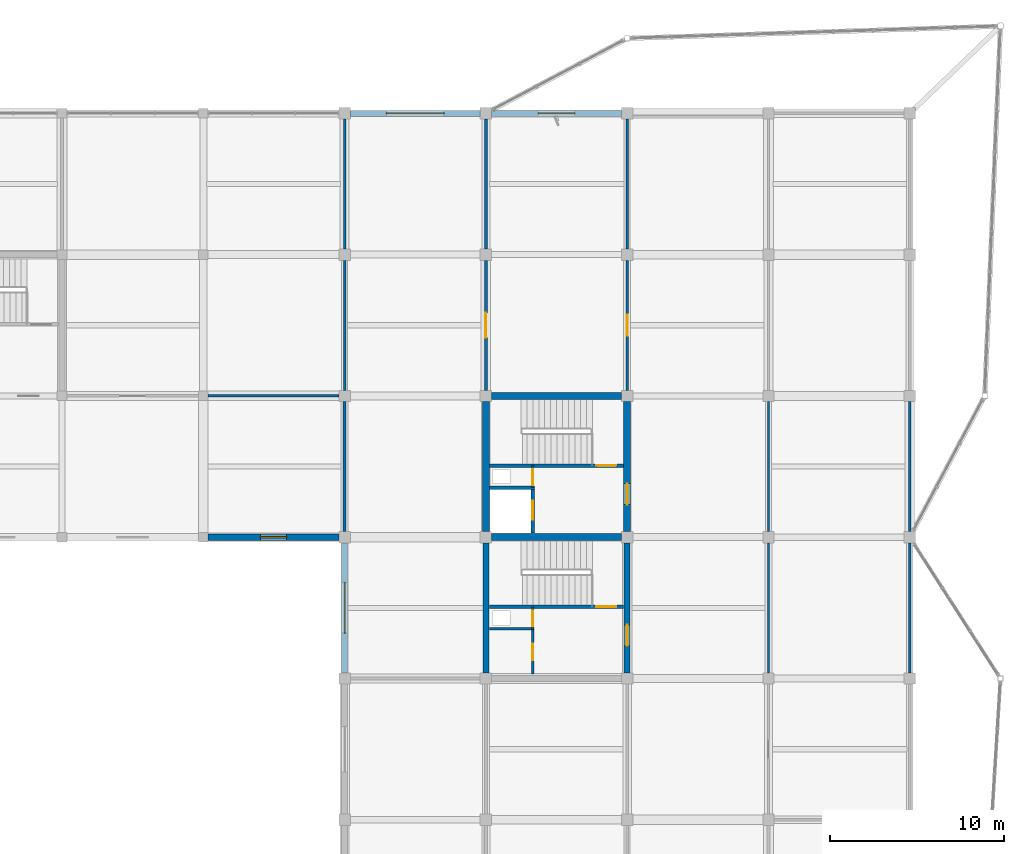
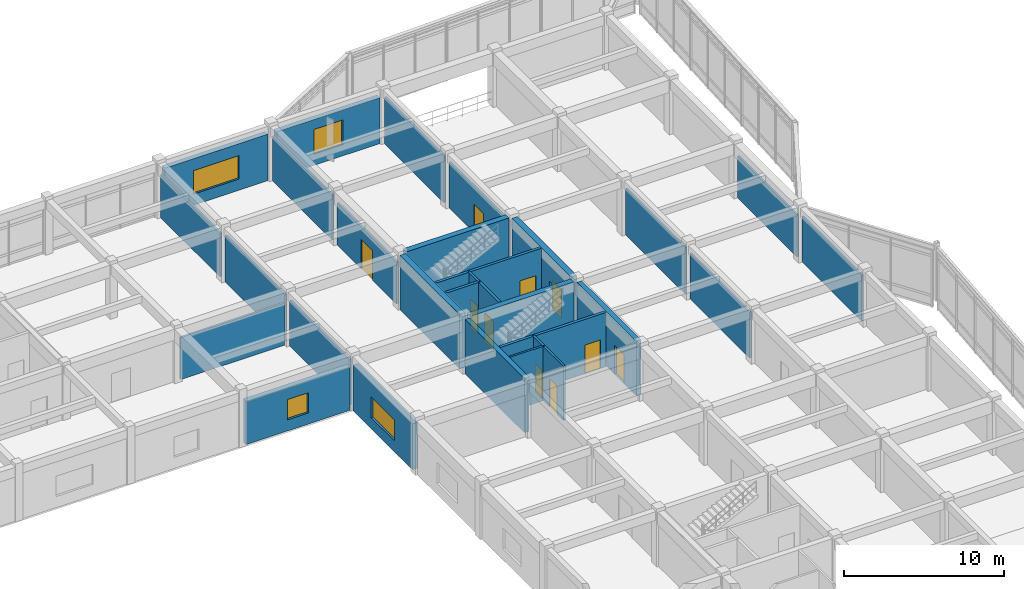
# One storey, part 34 of 42: 30 walls, 10 doors, 4 windows, 14 openings.
"""IFC4 building model written with IfcOpenShell, lengths in metres."""

from ifc_helpers import new_model, si_unit, direction, frame, frame_2d, origin, place, context, subcontext, project, spatial, rectangle, extrude, material, layer, layer_set, type_object, element, fill, save


model = new_model("IFC4")

# Units and contexts
model_context = context("Model", 3, precision=1e-05, world=origin(), true_north=direction((0.0, 1.0)))
body_context = subcontext(model_context, "Body", "Model", "MODEL_VIEW")
ifc_project = project(units=[si_unit("LENGTHUNIT", "METRE"), si_unit("AREAUNIT", "SQUARE_METRE"), si_unit("VOLUMEUNIT", "CUBIC_METRE"), si_unit("PLANEANGLEUNIT", "RADIAN"), si_unit("MASSUNIT", "GRAM", prefix="KILO")], contexts=[model_context])

# Site, building, storey
site_placement = place(None, origin())
site = spatial("IfcSite", under=ifc_project, at=site_placement, CompositionType="ELEMENT")
building_placement = place(site_placement, origin())
building = spatial("IfcBuilding", under=site, at=building_placement, Name="Vaudrelin Polytechnic", CompositionType="ELEMENT")
storey_placement = place(building_placement, frame((0.0, 0.0, 18.530029296875)))
storey = spatial("IfcBuildingStorey", under=building, at=storey_placement, Name="L04", CompositionType="ELEMENT", Elevation=18.530029296875)

# Wall, opening, window
ifc_material_1 = material(Name="Precast concrete 35 MPa with terracotta baguette screen", Category="masonry")
ifc_layer_1 = layer(ifc_material_1, 0.35009765625)
ifc_layer_set_1 = layer_set([ifc_layer_1], Name="Precast concrete 35 MPa with terracotta baguette screen")
wall_type_1 = type_object("IfcWallType", Name="WAL-EW-TERR350", PredefinedType="STANDARD", material=ifc_layer_set_1)
wall_1_placement = place(storey_placement, frame((138.02294921875, 121.5, 0.0), z_axis=(0.0, 0.0, 1.0), x_axis=(1.0, 0.0, 0.0)))
wall_1 = element("IfcWall", 1, at=wall_1_placement, inside=storey, type_object=wall_type_1, Name="Exterior wall L04 N_V4_00", PredefinedType="STANDARD", context=body_context, shape_type="SweptSolid", body=[
    extrude(rectangle(XDim=7.4541015625, YDim=0.35009765625, at=frame_2d((3.72705078125, 0.0))), origin(), (0.0, 0.0, 1.0), 3.56201171875),
])
opening_1_placement = place(wall_1_placement, frame((2.076904296875, 0.0, 0.85009765625)))
opening_1 = element("IfcOpeningElement", 2, at=opening_1_placement, cuts=wall_1, Name="Opening W-L04-N-V4-01", PredefinedType="OPENING", context=body_context, shape_type="SweptSolid", body=[
    extrude(rectangle(XDim=3.300048828125, YDim=1.800048828125, at=frame_2d((1.64990234375, 0.89990234375))), frame((0.0, 0.18505859375, 0.0), z_axis=(0.0, -1.0, 0.0), x_axis=(1.0, 0.0, 0.0)), (0.0, 0.0, 1.0), 0.3701171875),
])
ifc_material_2 = material(Name="Thermally broken aluminium frame with triple low-e glazing", Category="aluminium")
window_type_1 = type_object("IfcWindowType", Name="WIN-WN-25", PartitioningType="SINGLE_PANEL", PredefinedType="WINDOW", material=ifc_material_2)
window_1_placement = place(opening_1_placement, origin())
window_1 = element("IfcWindow", 3, at=window_1_placement, inside=storey, type_object=window_type_1, Name="Facade window L04-N_V4_00", OverallHeight=1.800048828125, OverallWidth=3.300048828125, PartitioningType="SINGLE_PANEL", PredefinedType="WINDOW", context=body_context, shape_type="SweptSolid", body=[
    extrude(rectangle(XDim=3.300048828125, YDim=1.800048828125, at=frame_2d((1.64990234375, 0.89990234375))), frame((0.0, 0.030029296875, 0.0), z_axis=(0.0, -1.0, 0.0), x_axis=(1.0, 0.0, 0.0)), (0.0, 0.0, 1.0), 0.06005859375),
])
fill(opening_1, window_1)

wall_2_placement = place(storey_placement, frame((146.123046875, 121.5, 0.0), z_axis=(0.0, 0.0, 1.0), x_axis=(1.0, 0.0, 0.0)))
wall_2 = element("IfcWall", 4, at=wall_2_placement, inside=storey, type_object=wall_type_1, Name="Exterior wall L04 N_V4_01", PredefinedType="STANDARD", context=body_context, shape_type="SweptSolid", body=[
    extrude(rectangle(XDim=7.453857421875, YDim=0.35009765625, at=frame_2d((3.72705078125, 0.0))), origin(), (0.0, 0.0, 1.0), 3.511962890625),
])
opening_2_placement = place(wall_2_placement, frame((2.677001953125, 0.0, 0.85009765625)))
opening_2 = element("IfcOpeningElement", 5, at=opening_2_placement, cuts=wall_2, Name="Opening W-L04-N-V4-02", PredefinedType="OPENING", context=body_context, shape_type="SweptSolid", body=[
    extrude(rectangle(XDim=2.10009765625, YDim=1.89990234375, at=frame_2d((1.050048828125, 0.949951171875))), frame((0.0, 0.18505859375, 0.0), z_axis=(0.0, -1.0, 0.0), x_axis=(1.0, 0.0, 0.0)), (0.0, 0.0, 1.0), 0.3701171875),
])
window_type_2 = type_object("IfcWindowType", Name="WIN-WN-26", PartitioningType="SINGLE_PANEL", PredefinedType="WINDOW", material=ifc_material_2)
window_2_placement = place(opening_2_placement, origin())
window_2 = element("IfcWindow", 6, at=window_2_placement, inside=storey, type_object=window_type_2, Name="Facade window L04-N_V4_01", OverallHeight=1.89990234375, OverallWidth=2.10009765625, PartitioningType="SINGLE_PANEL", PredefinedType="WINDOW", context=body_context, shape_type="SweptSolid", body=[
    extrude(rectangle(XDim=2.10009765625, YDim=1.89990234375, at=frame_2d((1.050048828125, 0.949951171875))), frame((0.0, 0.030029296875, 0.0), z_axis=(0.0, -1.0, 0.0), x_axis=(1.0, 0.0, 0.0)), (0.0, 0.0, 1.0), 0.06005859375),
])
fill(opening_2, window_2)

wall_3_placement = place(storey_placement, frame((137.699951171875, 89.423095703125, 0.0), z_axis=(0.0, 0.0, 1.0), x_axis=(0.0, 1.0, 0.0)))
wall_3 = element("IfcWall", 7, at=wall_3_placement, inside=storey, type_object=wall_type_1, Name="Exterior wall L04 W_V4_09", PredefinedType="STANDARD", context=body_context, shape_type="SweptSolid", body=[
    extrude(rectangle(XDim=7.453857421875, YDim=0.35009765625, at=frame_2d((3.72705078125, 0.0))), origin(), (0.0, 0.0, 1.0), 3.511962890625),
])
opening_3_placement = place(wall_3_placement, frame((2.277099609375, 0.0, 0.85009765625)))
opening_3 = element("IfcOpeningElement", 8, at=opening_3_placement, cuts=wall_3, Name="Opening W-L04-W-V4-10", PredefinedType="OPENING", context=body_context, shape_type="SweptSolid", body=[
    extrude(rectangle(XDim=2.89990234375, YDim=1.60009765625, at=frame_2d((1.449951171875, 0.800048828125))), frame((0.0, 0.18505859375, 0.0), z_axis=(0.0, -1.0, 0.0), x_axis=(1.0, 0.0, 0.0)), (0.0, 0.0, 1.0), 0.3701171875),
])
window_type_3 = type_object("IfcWindowType", Name="WIN-WN-46", PartitioningType="SINGLE_PANEL", PredefinedType="WINDOW", material=ifc_material_2)
window_3_placement = place(opening_3_placement, origin())
window_3 = element("IfcWindow", 9, at=window_3_placement, inside=storey, type_object=window_type_3, Name="Facade window L04-W_V4_09", OverallHeight=1.60009765625, OverallWidth=2.89990234375, PartitioningType="SINGLE_PANEL", PredefinedType="WINDOW", context=body_context, shape_type="SweptSolid", body=[
    extrude(rectangle(XDim=2.89990234375, YDim=1.60009765625, at=frame_2d((1.449951171875, 0.800048828125))), frame((0.0, 0.030029296875, 0.0), z_axis=(0.0, -1.0, 0.0), x_axis=(1.0, 0.0, 0.0)), (0.0, 0.0, 1.0), 0.06005859375),
])
fill(opening_3, window_3)

ifc_material_3 = material(Name="Precast concrete 35 MPa with standing-seam zinc rainscreen", Category="concrete")
ifc_layer_2 = layer(ifc_material_3, 0.360107421875)
ifc_layer_set_2 = layer_set([ifc_layer_2], Name="Precast concrete 35 MPa with standing-seam zinc rainscreen")
wall_type_2 = type_object("IfcWallType", Name="WAL-EW-ZINC360", PredefinedType="STANDARD", material=ifc_layer_set_2)
wall_4_placement = place(storey_placement, frame((129.873046875, 97.199951171875, 0.0), z_axis=(0.0, 0.0, 1.0), x_axis=(1.0, 0.0, 0.0)))
wall_4 = element("IfcWall", 10, at=wall_4_placement, inside=storey, type_object=wall_type_2, Name="Exterior wall L04 S_V5_15", PredefinedType="STANDARD", context=body_context, shape_type="SweptSolid", body=[
    extrude(rectangle(XDim=7.50390625, YDim=0.360107421875, at=frame_2d((3.751953125, 0.0))), origin(), (0.0, 0.0, 1.0), 3.31201171875),
])
opening_4_placement = place(wall_4_placement, frame((3.001953125, 0.0, 0.85009765625)))
opening_4 = element("IfcOpeningElement", 11, at=opening_4_placement, cuts=wall_4, Name="Opening W-L04-S-V5-16", PredefinedType="OPENING", context=body_context, shape_type="SweptSolid", body=[
    extrude(rectangle(XDim=1.5, YDim=1.550048828125, at=frame_2d((0.75, 0.77490234375))), frame((0.0, 0.18994140625, 0.0), z_axis=(0.0, -1.0, 0.0), x_axis=(1.0, 0.0, 0.0)), (0.0, 0.0, 1.0), 0.380126953125),
])
window_type_4 = type_object("IfcWindowType", Name="WIN-WN-24", PartitioningType="SINGLE_PANEL", PredefinedType="WINDOW", material=ifc_material_2)
window_4_placement = place(opening_4_placement, origin())
window_4 = element("IfcWindow", 12, at=window_4_placement, inside=storey, type_object=window_type_4, Name="Facade window L04-S_V5_15", OverallHeight=1.550048828125, OverallWidth=1.5, PartitioningType="SINGLE_PANEL", PredefinedType="WINDOW", context=body_context, shape_type="SweptSolid", body=[
    extrude(rectangle(XDim=1.5, YDim=1.550048828125, at=frame_2d((0.75, 0.77490234375))), frame((0.0, 0.030029296875, 0.0), z_axis=(0.0, -1.0, 0.0), x_axis=(1.0, 0.0, 0.0)), (0.0, 0.0, 1.0), 0.06005859375),
])
fill(opening_4, window_4)

# Wall, opening, door
ifc_material_4 = material(Name="Fire-rated steel-stud gypsum compartment wall", Category="steel")
ifc_layer_3 = layer(ifc_material_4, 0.14990234375)
ifc_layer_set_3 = layer_set([ifc_layer_3], Name="Fire-rated steel-stud gypsum compartment wall")
wall_type_3 = type_object("IfcWallType", Name="WAL-PW-FIRE60", PredefinedType="PARTITIONING", material=ifc_layer_set_3)
wall_5_placement = place(storey_placement, frame((148.47998046875, 100.050048828125, 0.0), z_axis=(0.0, 0.0, 1.0), x_axis=(0.0, 1.0, 0.0)))
wall_5 = element("IfcWall", 13, at=wall_5_placement, inside=storey, type_object=wall_type_3, Name="Core C6 riser enclosure wall L04", PredefinedType="PARTITIONING", context=body_context, shape_type="SweptSolid", body=[
    extrude(rectangle(XDim=1.260009765625, YDim=0.14990234375, at=frame_2d((0.6298828125, 0.0))), origin(), (0.0, 0.0, 1.0), 4.161865234375),
])
opening_5_placement = place(wall_5_placement, frame((0.139892578125, 0.0, 0.0)))
opening_5 = element("IfcOpeningElement", 14, at=opening_5_placement, cuts=wall_5, Name="Opening D-L04-101", PredefinedType="OPENING", context=body_context, shape_type="SweptSolid", body=[
    extrude(rectangle(XDim=0.89990234375, YDim=2.14990234375, at=frame_2d((0.449951171875, 1.074951171875))), frame((0.0, 0.0849609375, 0.0), z_axis=(0.0, -1.0, 0.0), x_axis=(1.0, 0.0, 0.0)), (0.0, 0.0, 1.0), 0.169921875),
])
ifc_material_5 = material(Name="Pressed galvanised steel acoustic leaf", Category="steel")
door_type_1 = type_object("IfcDoorType", Name="DOR-ID-RSR1", OperationType="NOTDEFINED", PredefinedType="DOOR", material=ifc_material_5)
door_1_placement = place(opening_5_placement, origin())
door_1 = element("IfcDoor", 15, at=door_1_placement, inside=storey, type_object=door_type_1, Name="Core C6 riser access door L04", OperationType="SINGLE_SWING_RIGHT", OverallHeight=2.14990234375, OverallWidth=0.89990234375, PredefinedType="DOOR", context=body_context, shape_type="SweptSolid", body=[
    extrude(rectangle(XDim=0.89990234375, YDim=2.14990234375, at=frame_2d((0.449951171875, 1.074951171875))), frame((0.0, 0.02490234375, 0.0), z_axis=(0.0, -1.0, 0.0), x_axis=(1.0, 0.0, 0.0)), (0.0, 0.0, 1.0), 0.050048828125),
])
fill(opening_5, door_1)

wall_6_placement = place(storey_placement, frame((148.47998046875, 91.949951171875, 0.0), z_axis=(0.0, 0.0, 1.0), x_axis=(0.0, 1.0, 0.0)))
wall_6 = element("IfcWall", 16, at=wall_6_placement, inside=storey, type_object=wall_type_3, Name="Core C13 riser enclosure wall L04", PredefinedType="PARTITIONING", context=body_context, shape_type="SweptSolid", body=[
    extrude(rectangle(XDim=1.260009765625, YDim=0.14990234375, at=frame_2d((0.6298828125, 0.0))), origin(), (0.0, 0.0, 1.0), 4.161865234375),
])
opening_6_placement = place(wall_6_placement, frame((0.139892578125, 0.0, 0.0)))
opening_6 = element("IfcOpeningElement", 17, at=opening_6_placement, cuts=wall_6, Name="Opening D-L04-315", PredefinedType="OPENING", context=body_context, shape_type="SweptSolid", body=[
    extrude(rectangle(XDim=0.89990234375, YDim=2.14990234375, at=frame_2d((0.449951171875, 1.074951171875))), frame((0.0, 0.0849609375, 0.0), z_axis=(0.0, -1.0, 0.0), x_axis=(1.0, 0.0, 0.0)), (0.0, 0.0, 1.0), 0.169921875),
])
door_2_placement = place(opening_6_placement, origin())
door_2 = element("IfcDoor", 18, at=door_2_placement, inside=storey, type_object=door_type_1, Name="Core C13 riser access door L04", OperationType="SINGLE_SWING_RIGHT", OverallHeight=2.14990234375, OverallWidth=0.89990234375, PredefinedType="DOOR", context=body_context, shape_type="SweptSolid", body=[
    extrude(rectangle(XDim=0.89990234375, YDim=2.14990234375, at=frame_2d((0.449951171875, 1.074951171875))), frame((0.0, 0.02490234375, 0.0), z_axis=(0.0, -1.0, 0.0), x_axis=(1.0, 0.0, 0.0)), (0.0, 0.0, 1.0), 0.050048828125),
])
fill(opening_6, door_2)

# Wall
wall_7_placement = place(storey_placement, frame((146.02001953125, 91.949951171875, 0.0), z_axis=(0.0, 0.0, 1.0), x_axis=(1.0, 0.0, 0.0)))
element("IfcWall", 19, at=wall_7_placement, inside=storey, type_object=wall_type_3, Name="Core C13 riser south fire wall L04", PredefinedType="PARTITIONING", context=body_context, shape_type="SweptSolid", body=[
    extrude(rectangle(XDim=2.530029296875, YDim=0.14990234375, at=frame_2d((1.26513671875, 0.0))), origin(), (0.0, 0.0, 1.0), 4.161865234375),
])

# Wall, opening, door
wall_8_placement = place(storey_placement, frame((148.47998046875, 89.35009765625, 0.0), z_axis=(0.0, 0.0, 1.0), x_axis=(0.0, 1.0, 0.0)))
wall_8 = element("IfcWall", 20, at=wall_8_placement, inside=storey, type_object=wall_type_3, Name="Core C13 custodial enclosure wall L04", PredefinedType="PARTITIONING", context=body_context, shape_type="SweptSolid", body=[
    extrude(rectangle(XDim=2.599853515625, YDim=0.14990234375, at=frame_2d((1.2998046875, 0.0))), origin(), (0.0, 0.0, 1.0), 4.161865234375),
])
opening_7_placement = place(wall_8_placement, frame((0.800048828125, 0.0, 0.0)))
opening_7 = element("IfcOpeningElement", 21, at=opening_7_placement, cuts=wall_8, Name="Opening D-L04-316", PredefinedType="OPENING", context=body_context, shape_type="SweptSolid", body=[
    extrude(rectangle(XDim=0.949951171875, YDim=2.14990234375, at=frame_2d((0.47509765625, 1.074951171875))), frame((0.0, 0.0849609375, 0.0), z_axis=(0.0, -1.0, 0.0), x_axis=(1.0, 0.0, 0.0)), (0.0, 0.0, 1.0), 0.169921875),
])
door_type_2 = type_object("IfcDoorType", Name="DOR-ID-STR1", OperationType="NOTDEFINED", PredefinedType="DOOR", material=ifc_material_5)
door_3_placement = place(opening_7_placement, origin())
door_3 = element("IfcDoor", 22, at=door_3_placement, inside=storey, type_object=door_type_2, Name="Core C13 custodial door L04", OperationType="SINGLE_SWING_RIGHT", OverallHeight=2.14990234375, OverallWidth=0.949951171875, PredefinedType="DOOR", context=body_context, shape_type="SweptSolid", body=[
    extrude(rectangle(XDim=0.949951171875, YDim=2.14990234375, at=frame_2d((0.47509765625, 1.074951171875))), frame((0.0, 0.02490234375, 0.0), z_axis=(0.0, -1.0, 0.0), x_axis=(1.0, 0.0, 0.0)), (0.0, 0.0, 1.0), 0.050048828125),
])
fill(opening_7, door_3)

ifc_material_6 = material(Name="Moisture- and chemical-resistant laboratory partition", Category="gypsum")
ifc_layer_4 = layer(ifc_material_6, 0.159912109375)
ifc_layer_set_4 = layer_set([ifc_layer_4], Name="Moisture- and chemical-resistant laboratory partition")
wall_type_4 = type_object("IfcWallType", Name="WAL-PW-LAB160", PredefinedType="PARTITIONING", material=ifc_layer_set_4)
wall_9_placement = place(storey_placement, frame((145.800048828125, 105.623046875, 0.0), z_axis=(0.0, 0.0, 1.0), x_axis=(0.0, 1.0, 0.0)))
wall_9 = element("IfcWall", 23, at=wall_9_placement, inside=storey, type_object=wall_type_4, Name="Partition L04-012 E", PredefinedType="PARTITIONING", context=body_context, shape_type="SweptSolid", body=[
    extrude(rectangle(XDim=7.453857421875, YDim=0.159912109375, at=frame_2d((3.72705078125, 0.0))), origin(), (0.0, 0.0, 1.0), 3.2119140625),
])
opening_8_placement = place(wall_9_placement, frame((3.01708984375, 0.0, 0.0)))
opening_8 = element("IfcOpeningElement", 24, at=opening_8_placement, cuts=wall_9, Name="Opening D-L04-527", PredefinedType="OPENING", context=body_context, shape_type="SweptSolid", body=[
    extrude(rectangle(XDim=1.419921875, YDim=2.25, at=frame_2d((0.7099609375, 1.125))), frame((0.0, 0.08984375, 0.0), z_axis=(0.0, -1.0, 0.0), x_axis=(1.0, 0.0, 0.0)), (0.0, 0.0, 1.0), 0.179931640625),
])
door_type_3 = type_object("IfcDoorType", Name="DOR-ID-LAB4", OperationType="NOTDEFINED", PredefinedType="DOOR", material=ifc_material_5)
door_4_placement = place(opening_8_placement, origin())
door_4 = element("IfcDoor", 25, at=door_4_placement, inside=storey, type_object=door_type_3, Name="Cold-Regions Civil Materials Laboratory door L04-012", OperationType="DOUBLE_SWING_LEFT", OverallHeight=2.25, OverallWidth=1.419921875, PredefinedType="DOOR", context=body_context, shape_type="SweptSolid", body=[
    extrude(rectangle(XDim=1.419921875, YDim=2.25, at=frame_2d((0.7099609375, 1.125))), frame((0.0, 0.02490234375, 0.0), z_axis=(0.0, -1.0, 0.0), x_axis=(1.0, 0.0, 0.0)), (0.0, 0.0, 1.0), 0.050048828125),
])
fill(opening_8, door_4)

# Walls
wall_10_placement = place(storey_placement, frame((145.800048828125, 113.722900390625, 0.0), z_axis=(0.0, 0.0, 1.0), x_axis=(0.0, 1.0, 0.0)))
element("IfcWall", 26, at=wall_10_placement, inside=storey, type_object=wall_type_4, Name="Partition L04-012 E", PredefinedType="PARTITIONING", context=body_context, shape_type="SweptSolid", body=[
    extrude(rectangle(XDim=7.4541015625, YDim=0.159912109375, at=frame_2d((3.72705078125, 0.0))), origin(), (0.0, 0.0, 1.0), 3.411865234375),
])
wall_11_placement = place(storey_placement, frame((137.699951171875, 97.52294921875, 0.0), z_axis=(0.0, 0.0, 1.0), x_axis=(0.0, 1.0, 0.0)))
element("IfcWall", 27, at=wall_11_placement, inside=storey, type_object=wall_type_4, Name="Partition L04-012 W", PredefinedType="PARTITIONING", context=body_context, shape_type="SweptSolid", body=[
    extrude(rectangle(XDim=7.4541015625, YDim=0.159912109375, at=frame_2d((3.72705078125, 0.0))), origin(), (0.0, 0.0, 1.0), 3.511962890625),
])

# Wall, opening, door
wall_12_placement = place(storey_placement, frame((153.89990234375, 105.623046875, 0.0), z_axis=(0.0, 0.0, 1.0), x_axis=(0.0, 1.0, 0.0)))
wall_12 = element("IfcWall", 28, at=wall_12_placement, inside=storey, type_object=wall_type_4, Name="Partition L04-013 E", PredefinedType="PARTITIONING", context=body_context, shape_type="SweptSolid", body=[
    extrude(rectangle(XDim=7.453857421875, YDim=0.159912109375, at=frame_2d((3.72705078125, 0.0))), origin(), (0.0, 0.0, 1.0), 3.511962890625),
])
opening_9_placement = place(wall_12_placement, frame((3.126953125, 0.0, 0.0)))
opening_9 = element("IfcOpeningElement", 29, at=opening_9_placement, cuts=wall_12, Name="Opening D-L04-528", PredefinedType="OPENING", context=body_context, shape_type="SweptSolid", body=[
    extrude(rectangle(XDim=1.199951171875, YDim=2.199951171875, at=frame_2d((0.60009765625, 1.10009765625))), frame((0.0, 0.08984375, 0.0), z_axis=(0.0, -1.0, 0.0), x_axis=(1.0, 0.0, 0.0)), (0.0, 0.0, 1.0), 0.179931640625),
])
door_type_4 = type_object("IfcDoorType", Name="DOR-ID-LAB2", OperationType="NOTDEFINED", PredefinedType="DOOR", material=ifc_material_5)
door_5_placement = place(opening_9_placement, origin())
door_5 = element("IfcDoor", 30, at=door_5_placement, inside=storey, type_object=door_type_4, Name="Permafrost Freeze-Thaw Chamber Room door L04-013", OperationType="SINGLE_SWING_RIGHT", OverallHeight=2.199951171875, OverallWidth=1.199951171875, PredefinedType="DOOR", context=body_context, shape_type="SweptSolid", body=[
    extrude(rectangle(XDim=1.199951171875, YDim=2.199951171875, at=frame_2d((0.60009765625, 1.10009765625))), frame((0.0, 0.02490234375, 0.0), z_axis=(0.0, -1.0, 0.0), x_axis=(1.0, 0.0, 0.0)), (0.0, 0.0, 1.0), 0.050048828125),
])
fill(opening_9, door_5)

# Walls
wall_13_placement = place(storey_placement, frame((153.89990234375, 113.722900390625, 0.0), z_axis=(0.0, 0.0, 1.0), x_axis=(0.0, 1.0, 0.0)))
element("IfcWall", 31, at=wall_13_placement, inside=storey, type_object=wall_type_4, Name="Partition L04-013 E", PredefinedType="PARTITIONING", context=body_context, shape_type="SweptSolid", body=[
    extrude(rectangle(XDim=7.4541015625, YDim=0.159912109375, at=frame_2d((3.72705078125, 0.0))), origin(), (0.0, 0.0, 1.0), 3.56201171875),
])
ifc_material_7 = material(Name="Acoustic steel-stud office & study room partition", Category="steel")
ifc_layer_5 = layer(ifc_material_7, 0.135009765625)
ifc_layer_set_5 = layer_set([ifc_layer_5], Name="Acoustic steel-stud office & study room partition")
wall_type_5 = type_object("IfcWallType", Name="WAL-PW-OFF135", PredefinedType="PARTITIONING", material=ifc_layer_set_5)
wall_14_placement = place(storey_placement, frame((162.0, 89.423095703125, 0.0), z_axis=(0.0, 0.0, 1.0), x_axis=(0.0, 1.0, 0.0)))
element("IfcWall", 32, at=wall_14_placement, inside=storey, type_object=wall_type_5, Name="Partition L04-017 W", PredefinedType="PARTITIONING", context=body_context, shape_type="SweptSolid", body=[
    extrude(rectangle(XDim=7.453857421875, YDim=0.135009765625, at=frame_2d((3.72705078125, 0.0))), origin(), (0.0, 0.0, 1.0), 3.511962890625),
])
wall_15_placement = place(storey_placement, frame((162.0, 97.52294921875, 0.0), z_axis=(0.0, 0.0, 1.0), x_axis=(0.0, 1.0, 0.0)))
element("IfcWall", 33, at=wall_15_placement, inside=storey, type_object=wall_type_5, Name="Partition L04-017 W", PredefinedType="PARTITIONING", context=body_context, shape_type="SweptSolid", body=[
    extrude(rectangle(XDim=7.4541015625, YDim=0.135009765625, at=frame_2d((3.72705078125, 0.0))), origin(), (0.0, 0.0, 1.0), 3.56201171875),
])
wall_16_placement = place(storey_placement, frame((170.10009765625, 89.423095703125, 0.0), z_axis=(0.0, 0.0, 1.0), x_axis=(0.0, 1.0, 0.0)))
element("IfcWall", 34, at=wall_16_placement, inside=storey, type_object=wall_type_5, Name="Partition L04-017 E", PredefinedType="PARTITIONING", context=body_context, shape_type="SweptSolid", body=[
    extrude(rectangle(XDim=7.453857421875, YDim=0.135009765625, at=frame_2d((3.72705078125, 0.0))), origin(), (0.0, 0.0, 1.0), 3.511962890625),
])
wall_17_placement = place(storey_placement, frame((170.10009765625, 97.52294921875, 0.0), z_axis=(0.0, 0.0, 1.0), x_axis=(0.0, 1.0, 0.0)))
element("IfcWall", 35, at=wall_17_placement, inside=storey, type_object=wall_type_5, Name="Partition L04-017 E", PredefinedType="PARTITIONING", context=body_context, shape_type="SweptSolid", body=[
    extrude(rectangle(XDim=7.4541015625, YDim=0.135009765625, at=frame_2d((3.72705078125, 0.0))), origin(), (0.0, 0.0, 1.0), 3.2119140625),
])
ifc_material_8 = material(Name="Pin-up plywood & acoustic gypsum studio partition", Category="wood")
ifc_layer_6 = layer(ifc_material_8, 0.14990234375)
ifc_layer_set_6 = layer_set([ifc_layer_6], Name="Pin-up plywood & acoustic gypsum studio partition")
wall_type_6 = type_object("IfcWallType", Name="WAL-PW-STU150", PredefinedType="PARTITIONING", material=ifc_layer_set_6)
wall_18_placement = place(storey_placement, frame((129.873046875, 105.300048828125, 0.0), z_axis=(0.0, 0.0, 1.0), x_axis=(1.0, 0.0, 0.0)))
element("IfcWall", 36, at=wall_18_placement, inside=storey, type_object=wall_type_6, Name="Partition L04-006 S", PredefinedType="PARTITIONING", context=body_context, shape_type="SweptSolid", body=[
    extrude(rectangle(XDim=7.50390625, YDim=0.14990234375, at=frame_2d((3.751953125, 0.0))), origin(), (0.0, 0.0, 1.0), 3.2119140625),
])
wall_19_placement = place(storey_placement, frame((137.699951171875, 105.623046875, 0.0), z_axis=(0.0, 0.0, 1.0), x_axis=(0.0, 1.0, 0.0)))
element("IfcWall", 37, at=wall_19_placement, inside=storey, type_object=wall_type_6, Name="Partition L04-006 E", PredefinedType="PARTITIONING", context=body_context, shape_type="SweptSolid", body=[
    extrude(rectangle(XDim=7.453857421875, YDim=0.14990234375, at=frame_2d((3.72705078125, 0.0))), origin(), (0.0, 0.0, 1.0), 3.56201171875),
])
wall_20_placement = place(storey_placement, frame((137.699951171875, 113.722900390625, 0.0), z_axis=(0.0, 0.0, 1.0), x_axis=(0.0, 1.0, 0.0)))
element("IfcWall", 38, at=wall_20_placement, inside=storey, type_object=wall_type_6, Name="Partition L04-006 E", PredefinedType="PARTITIONING", context=body_context, shape_type="SweptSolid", body=[
    extrude(rectangle(XDim=7.4541015625, YDim=0.14990234375, at=frame_2d((3.72705078125, 0.0))), origin(), (0.0, 0.0, 1.0), 3.31201171875),
])

# Wall, opening, door
ifc_material_9 = material(Name="Concrete 40 MPa", Category="concrete")
ifc_layer_7 = layer(ifc_material_9, 0.199951171875)
ifc_layer_set_7 = layer_set([ifc_layer_7], Name="Concrete 40 MPa")
wall_type_7 = type_object("IfcWallType", Name="WAL-SW-CORE200", PredefinedType="SHEAR", material=ifc_layer_set_7)
wall_21_placement = place(storey_placement, frame((146.02001953125, 101.31005859375, 0.0), z_axis=(0.0, 0.0, 1.0), x_axis=(1.0, 0.0, 0.0)))
wall_21 = element("IfcWall", 39, at=wall_21_placement, inside=storey, type_object=wall_type_7, Name="Core C6 stair enclosure wall L04", PredefinedType="SHEAR", context=body_context, shape_type="SweptSolid", body=[
    extrude(rectangle(XDim=7.659912109375, YDim=0.199951171875, at=frame_2d((3.830078125, 0.0))), origin(), (0.0, 0.0, 1.0), 4.161865234375),
])
opening_10_placement = place(wall_21_placement, frame((6.110107421875, 0.0, 0.0)))
opening_10 = element("IfcOpeningElement", 40, at=opening_10_placement, cuts=wall_21, Name="Opening D-L04-100", PredefinedType="OPENING", context=body_context, shape_type="SweptSolid", body=[
    extrude(rectangle(XDim=1.14990234375, YDim=2.199951171875, at=frame_2d((0.574951171875, 1.10009765625))), frame((0.0, 0.10986328125, 0.0), z_axis=(0.0, -1.0, 0.0), x_axis=(1.0, 0.0, 0.0)), (0.0, 0.0, 1.0), 0.219970703125),
])
door_type_5 = type_object("IfcDoorType", Name="DOR-ID-ST1", OperationType="NOTDEFINED", PredefinedType="DOOR", material=ifc_material_5)
door_6_placement = place(opening_10_placement, origin())
door_6 = element("IfcDoor", 41, at=door_6_placement, inside=storey, type_object=door_type_5, Name="Core C6 exit stair door L04", OperationType="SINGLE_SWING_LEFT", OverallHeight=2.199951171875, OverallWidth=1.14990234375, PredefinedType="DOOR", context=body_context, shape_type="SweptSolid", body=[
    extrude(rectangle(XDim=1.14990234375, YDim=2.199951171875, at=frame_2d((0.574951171875, 1.10009765625))), frame((0.0, 0.02490234375, 0.0), z_axis=(0.0, -1.0, 0.0), x_axis=(1.0, 0.0, 0.0)), (0.0, 0.0, 1.0), 0.050048828125),
])
fill(opening_10, door_6)

wall_22_placement = place(storey_placement, frame((148.47998046875, 97.449951171875, 0.0), z_axis=(0.0, 0.0, 1.0), x_axis=(0.0, 1.0, 0.0)))
wall_22 = element("IfcWall", 42, at=wall_22_placement, inside=storey, type_object=wall_type_7, Name="Lift LF-06 shaft front wall L04", PredefinedType="SHEAR", context=body_context, shape_type="SweptSolid", body=[
    extrude(rectangle(XDim=2.60009765625, YDim=0.199951171875, at=frame_2d((1.300048828125, 0.0))), origin(), (0.0, 0.0, 1.0), 4.161865234375),
])
opening_11_placement = place(wall_22_placement, frame((0.75, 0.0, 0.0)))
opening_11 = element("IfcOpeningElement", 43, at=opening_11_placement, cuts=wall_22, Name="Opening LD-LF-06-L04", PredefinedType="OPENING", context=body_context, shape_type="SweptSolid", body=[
    extrude(rectangle(XDim=1.10009765625, YDim=2.199951171875, at=frame_2d((0.550048828125, 1.10009765625))), frame((0.0, 0.10986328125, 0.0), z_axis=(0.0, -1.0, 0.0), x_axis=(1.0, 0.0, 0.0)), (0.0, 0.0, 1.0), 0.219970703125),
])
ifc_material_10 = material(Name="Brushed stainless steel AISI 304", Category="steel")
door_type_6 = type_object("IfcDoorType", Name="DOR-LD-PAX", OperationType="SLIDING_TO_LEFT", PredefinedType="DOOR", material=ifc_material_10)
door_7_placement = place(opening_11_placement, origin())
door_7 = element("IfcDoor", 44, at=door_7_placement, inside=storey, type_object=door_type_6, Name="Lift LF-06 landing door L04", OperationType="SLIDING_TO_LEFT", OverallHeight=2.199951171875, OverallWidth=1.10009765625, PredefinedType="DOOR", context=body_context, shape_type="SweptSolid", body=[
    extrude(rectangle(XDim=1.10009765625, YDim=2.199951171875, at=frame_2d((0.550048828125, 1.10009765625))), frame((0.0, 0.02490234375, 0.0), z_axis=(0.0, -1.0, 0.0), x_axis=(1.0, 0.0, 0.0)), (0.0, 0.0, 1.0), 0.050048828125),
])
fill(opening_11, door_7)

# Wall
wall_23_placement = place(storey_placement, frame((146.02001953125, 100.050048828125, 0.0), z_axis=(0.0, 0.0, 1.0), x_axis=(1.0, 0.0, 0.0)))
element("IfcWall", 45, at=wall_23_placement, inside=storey, type_object=wall_type_7, Name="Lift LF-06 shaft north wall L04", PredefinedType="SHEAR", context=body_context, shape_type="SweptSolid", body=[
    extrude(rectangle(XDim=2.56005859375, YDim=0.199951171875, at=frame_2d((1.280029296875, 0.0))), origin(), (0.0, 0.0, 1.0), 4.161865234375),
])

# Wall, opening, door
wall_24_placement = place(storey_placement, frame((146.02001953125, 93.2099609375, 0.0), z_axis=(0.0, 0.0, 1.0), x_axis=(1.0, 0.0, 0.0)))
wall_24 = element("IfcWall", 46, at=wall_24_placement, inside=storey, type_object=wall_type_7, Name="Core C13 stair enclosure wall L04", PredefinedType="SHEAR", context=body_context, shape_type="SweptSolid", body=[
    extrude(rectangle(XDim=7.659912109375, YDim=0.199951171875, at=frame_2d((3.830078125, 0.0))), origin(), (0.0, 0.0, 1.0), 4.161865234375),
])
opening_12_placement = place(wall_24_placement, frame((6.110107421875, 0.0, 0.0)))
opening_12 = element("IfcOpeningElement", 47, at=opening_12_placement, cuts=wall_24, Name="Opening D-L04-314", PredefinedType="OPENING", context=body_context, shape_type="SweptSolid", body=[
    extrude(rectangle(XDim=1.14990234375, YDim=2.199951171875, at=frame_2d((0.574951171875, 1.10009765625))), frame((0.0, 0.10986328125, 0.0), z_axis=(0.0, -1.0, 0.0), x_axis=(1.0, 0.0, 0.0)), (0.0, 0.0, 1.0), 0.219970703125),
])
door_8_placement = place(opening_12_placement, origin())
door_8 = element("IfcDoor", 48, at=door_8_placement, inside=storey, type_object=door_type_5, Name="Core C13 exit stair door L04", OperationType="SINGLE_SWING_LEFT", OverallHeight=2.199951171875, OverallWidth=1.14990234375, PredefinedType="DOOR", context=body_context, shape_type="SweptSolid", body=[
    extrude(rectangle(XDim=1.14990234375, YDim=2.199951171875, at=frame_2d((0.574951171875, 1.10009765625))), frame((0.0, 0.02490234375, 0.0), z_axis=(0.0, -1.0, 0.0), x_axis=(1.0, 0.0, 0.0)), (0.0, 0.0, 1.0), 0.050048828125),
])
fill(opening_12, door_8)

# Wall
ifc_material_11 = material(Name="Concrete 50 MPa", Category="concrete")
ifc_layer_8 = layer(ifc_material_11, 0.35009765625)
ifc_layer_set_8 = layer_set([ifc_layer_8], Name="Concrete 50 MPa")
wall_type_8 = type_object("IfcWallType", Name="WAL-SW-CORE350", PredefinedType="SHEAR", material=ifc_layer_set_8)
wall_25_placement = place(storey_placement, frame((145.800048828125, 89.423095703125, 0.0), z_axis=(0.0, 0.0, 1.0), x_axis=(0.0, 1.0, 0.0)))
element("IfcWall", 49, at=wall_25_placement, inside=storey, type_object=wall_type_8, Name="Core C13 W shear wall L04", PredefinedType="SHEAR", context=body_context, shape_type="SweptSolid", body=[
    extrude(rectangle(XDim=7.453857421875, YDim=0.35009765625, at=frame_2d((3.72705078125, 0.0))), origin(), (0.0, 0.0, 1.0), 4.161865234375),
])

# Wall, opening, door
wall_26_placement = place(storey_placement, frame((153.89990234375, 89.423095703125, 0.0), z_axis=(0.0, 0.0, 1.0), x_axis=(0.0, 1.0, 0.0)))
wall_26 = element("IfcWall", 50, at=wall_26_placement, inside=storey, type_object=wall_type_8, Name="Core C13 E shear wall L04", PredefinedType="SHEAR", context=body_context, shape_type="SweptSolid", body=[
    extrude(rectangle(XDim=7.453857421875, YDim=0.35009765625, at=frame_2d((3.72705078125, 0.0))), origin(), (0.0, 0.0, 1.0), 4.161865234375),
])
opening_13_placement = place(wall_26_placement, frame((1.550048828125, 0.0, 0.0)))
opening_13 = element("IfcOpeningElement", 51, at=opening_13_placement, cuts=wall_26, Name="Opening D-L04-313", PredefinedType="OPENING", context=body_context, shape_type="SweptSolid", body=[
    extrude(rectangle(XDim=1.199951171875, YDim=2.199951171875, at=frame_2d((0.60009765625, 1.10009765625))), frame((0.0, 0.18505859375, 0.0), z_axis=(0.0, -1.0, 0.0), x_axis=(1.0, 0.0, 0.0)), (0.0, 0.0, 1.0), 0.3701171875),
])
door_type_7 = type_object("IfcDoorType", Name="DOR-ID-LB1", OperationType="NOTDEFINED", PredefinedType="DOOR", material=ifc_material_5)
door_9_placement = place(opening_13_placement, origin())
door_9 = element("IfcDoor", 52, at=door_9_placement, inside=storey, type_object=door_type_7, Name="Core C13 lobby fire door L04", OperationType="SINGLE_SWING_LEFT", OverallHeight=2.199951171875, OverallWidth=1.199951171875, PredefinedType="DOOR", context=body_context, shape_type="SweptSolid", body=[
    extrude(rectangle(XDim=1.199951171875, YDim=2.199951171875, at=frame_2d((0.60009765625, 1.10009765625))), frame((0.0, 0.02490234375, 0.0), z_axis=(0.0, -1.0, 0.0), x_axis=(1.0, 0.0, 0.0)), (0.0, 0.0, 1.0), 0.050048828125),
])
fill(opening_13, door_9)

# Walls
ifc_layer_9 = layer(ifc_material_11, 0.39990234375)
ifc_layer_set_9 = layer_set([ifc_layer_9], Name="Concrete 50 MPa")
wall_type_9 = type_object("IfcWallType", Name="WAL-SW-CORE400", PredefinedType="SHEAR", material=ifc_layer_set_9)
wall_27_placement = place(storey_placement, frame((146.123046875, 105.300048828125, 0.0), z_axis=(0.0, 0.0, 1.0), x_axis=(1.0, 0.0, 0.0)))
element("IfcWall", 53, at=wall_27_placement, inside=storey, type_object=wall_type_9, Name="Core C6 N shear wall L04", PredefinedType="SHEAR", context=body_context, shape_type="SweptSolid", body=[
    extrude(rectangle(XDim=7.453857421875, YDim=0.39990234375, at=frame_2d((3.72705078125, 0.0))), origin(), (0.0, 0.0, 1.0), 4.161865234375),
])
wall_28_placement = place(storey_placement, frame((145.800048828125, 97.52294921875, 0.0), z_axis=(0.0, 0.0, 1.0), x_axis=(0.0, 1.0, 0.0)))
element("IfcWall", 54, at=wall_28_placement, inside=storey, type_object=wall_type_9, Name="Core C6 W shear wall L04", PredefinedType="SHEAR", context=body_context, shape_type="SweptSolid", body=[
    extrude(rectangle(XDim=7.4541015625, YDim=0.39990234375, at=frame_2d((3.72705078125, 0.0))), origin(), (0.0, 0.0, 1.0), 4.161865234375),
])

# Wall, opening, door
wall_29_placement = place(storey_placement, frame((153.89990234375, 97.52294921875, 0.0), z_axis=(0.0, 0.0, 1.0), x_axis=(0.0, 1.0, 0.0)))
wall_29 = element("IfcWall", 55, at=wall_29_placement, inside=storey, type_object=wall_type_9, Name="Core C6 E shear wall L04", PredefinedType="SHEAR", context=body_context, shape_type="SweptSolid", body=[
    extrude(rectangle(XDim=7.4541015625, YDim=0.39990234375, at=frame_2d((3.72705078125, 0.0))), origin(), (0.0, 0.0, 1.0), 4.161865234375),
])
opening_14_placement = place(wall_29_placement, frame((1.550048828125, 0.0, 0.0)))
opening_14 = element("IfcOpeningElement", 56, at=opening_14_placement, cuts=wall_29, Name="Opening D-L04-099", PredefinedType="OPENING", context=body_context, shape_type="SweptSolid", body=[
    extrude(rectangle(XDim=1.199951171875, YDim=2.199951171875, at=frame_2d((0.60009765625, 1.10009765625))), frame((0.0, 0.2099609375, 0.0), z_axis=(0.0, -1.0, 0.0), x_axis=(1.0, 0.0, 0.0)), (0.0, 0.0, 1.0), 0.419921875),
])
door_10_placement = place(opening_14_placement, origin())
door_10 = element("IfcDoor", 57, at=door_10_placement, inside=storey, type_object=door_type_7, Name="Core C6 lobby fire door L04", OperationType="SINGLE_SWING_RIGHT", OverallHeight=2.199951171875, OverallWidth=1.199951171875, PredefinedType="DOOR", context=body_context, shape_type="SweptSolid", body=[
    extrude(rectangle(XDim=1.199951171875, YDim=2.199951171875, at=frame_2d((0.60009765625, 1.10009765625))), frame((0.0, 0.02490234375, 0.0), z_axis=(0.0, -1.0, 0.0), x_axis=(1.0, 0.0, 0.0)), (0.0, 0.0, 1.0), 0.050048828125),
])
fill(opening_14, door_10)

# Wall
wall_30_placement = place(storey_placement, frame((146.123046875, 97.199951171875, 0.0), z_axis=(0.0, 0.0, 1.0), x_axis=(1.0, 0.0, 0.0)))
element("IfcWall", 58, at=wall_30_placement, inside=storey, type_object=wall_type_9, Name="Core C6 S shear wall L04", PredefinedType="SHEAR", context=body_context, shape_type="SweptSolid", body=[
    extrude(rectangle(XDim=7.453857421875, YDim=0.39990234375, at=frame_2d((3.72705078125, 0.0))), origin(), (0.0, 0.0, 1.0), 4.161865234375),
])

save(model, "model.ifc")
